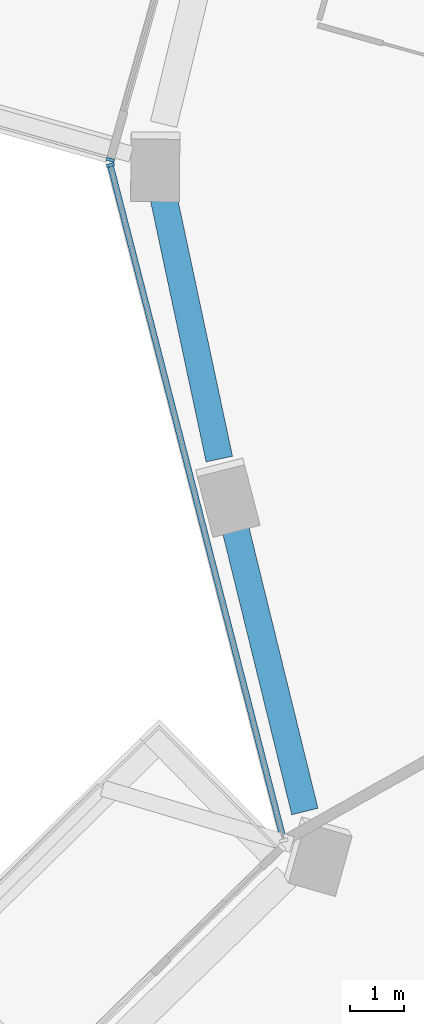
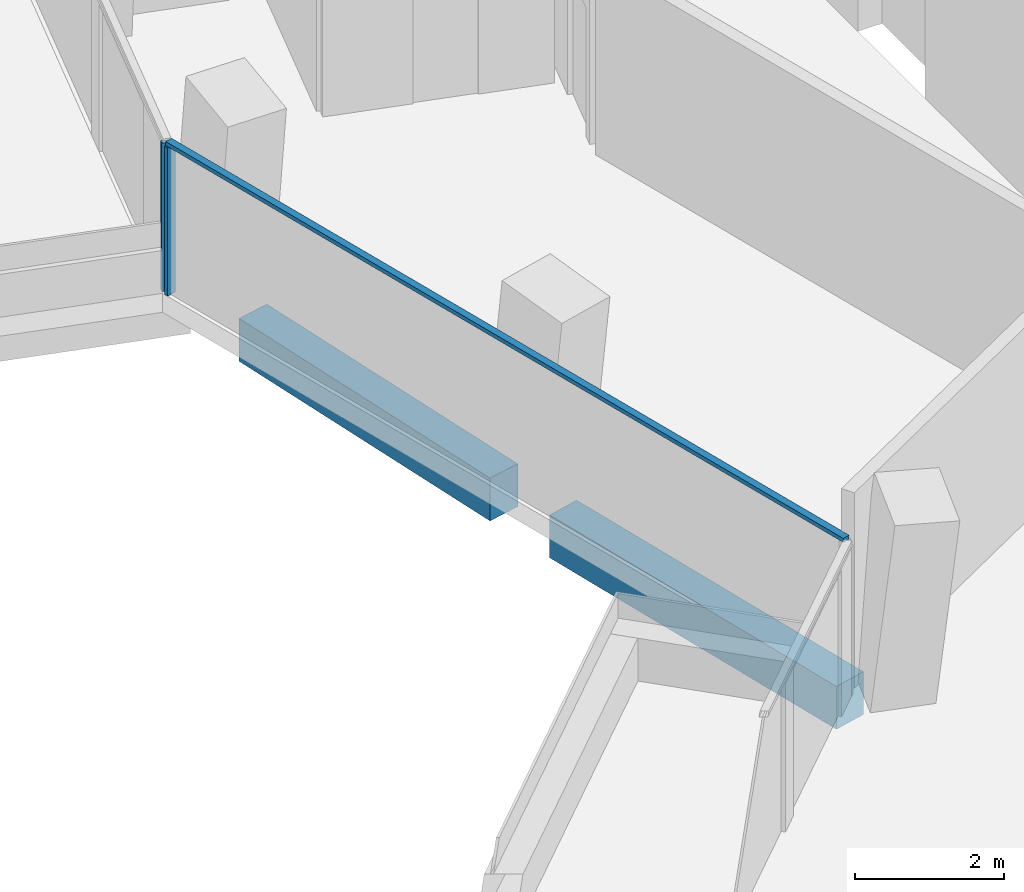
# One storey, part 4 of 26: 3 members, 2 beams, 2 elements without a shape of their own.
"""IFC4 building model written with IfcOpenShell, lengths in metres."""

import ifcopenshell
import ifcopenshell.guid

model = None  # the IFC model being written
_history = None  # IfcOwnerHistory: only IFC2X3 demands one
_inside = {}  # id of a spatial element -> (the spatial element, [elements in it])
_under = {}  # id of a project, library or spatial element -> (it, [spatial elements below it])
_declared = {}  # id of a project -> (the project, [libraries it declares])
_typed = {}  # id of a type object -> (the type object, [elements of that type])
_made_of = {}  # id of a material, layer set ... -> (it, [elements and type objects made of it])


def new_model(schema):
    """Start an empty IFC model of exactly this schema.

    Asked for "IFC4X3", IfcOpenShell would pick the latest addendum, in which some entities
    have other attributes; the version numbers below select the first issue.
    IFC2X3 requires an IfcOwnerHistory on every rooted entity: one is made here for all.
    """
    global model, _history
    if schema == "IFC4X3":
        model = ifcopenshell.file(schema_version=(4, 3, 0, 0))
    else:
        model = ifcopenshell.file(schema=schema)
    _inside.clear()
    _under.clear()
    _declared.clear()
    _typed.clear()
    _made_of.clear()
    _history = None
    if model.schema == "IFC2X3":
        org = make("IfcOrganization", Name="unknown")
        user = make(
            "IfcPersonAndOrganization",
            ThePerson=make("IfcPerson", FamilyName="unknown"),
            TheOrganization=org,
        )
        app = make(
            "IfcApplication",
            ApplicationDeveloper=org,
            Version="unknown",
            ApplicationFullName="unknown",
            ApplicationIdentifier="unknown",
        )
        _history = make(
            "IfcOwnerHistory",
            OwningUser=user,
            OwningApplication=app,
            ChangeAction="ADDED",
            CreationDate=0,
        )
    return model


def make(cls, **values):
    """One entity of the class cls with the attributes given. An attribute that is None is left unset."""
    return model.create_entity(
        cls, **{name: value for name, value in values.items() if value is not None}
    )


def rooted(cls, **values):
    """An entity with a GlobalId (a new one), such as an element, a storey or a relation."""
    return make(cls, GlobalId=ifcopenshell.guid.new(), OwnerHistory=_history, **values)


def si_unit(unit_type, name, prefix=None):
    """IfcSIUnit, for example si_unit("LENGTHUNIT", "METRE", prefix="MILLI")."""
    return make("IfcSIUnit", UnitType=unit_type, Prefix=prefix, Name=name)


def assignment(units):
    """IfcUnitAssignment: the units of a project."""
    return None if units is None else make("IfcUnitAssignment", Units=units)


def point(xyz):
    """IfcCartesianPoint."""
    return None if xyz is None else make("IfcCartesianPoint", Coordinates=xyz)


def direction(xyz):
    """IfcDirection."""
    return None if xyz is None else make("IfcDirection", DirectionRatios=xyz)


def frame(location, z_axis=None, x_axis=None):
    """IfcAxis2Placement3D, a coordinate frame: its origin and axes. An axis left out is left unset."""
    return make(
        "IfcAxis2Placement3D",
        Location=point(location),
        Axis=direction(z_axis),
        RefDirection=direction(x_axis),
    )


def frame_2d(location, x_axis=None):
    """IfcAxis2Placement2D, a coordinate frame in the plane: its origin and x axis."""
    return make(
        "IfcAxis2Placement2D", Location=point(location), RefDirection=direction(x_axis)
    )


def origin():
    """The frame at (0, 0, 0) with its axes left unset."""
    return frame((0.0, 0.0, 0.0))


def origin_2d():
    """The frame at (0, 0) in the plane with its x axis left unset."""
    return frame_2d((0.0, 0.0))


def place(relative_to, where):
    """IfcLocalPlacement: puts the frame where relative to a parent placement (None: the world)."""
    return make(
        "IfcLocalPlacement", PlacementRelTo=relative_to, RelativePlacement=where
    )


def context(
    kind, dimensions, precision=None, world=None, true_north=None, identifier=None
):
    """IfcGeometricRepresentationContext, for example the 3D "Model" context."""
    return make(
        "IfcGeometricRepresentationContext",
        ContextIdentifier=identifier,
        ContextType=kind,
        CoordinateSpaceDimension=dimensions,
        Precision=precision,
        WorldCoordinateSystem=world,
        TrueNorth=true_north,
    )


def subcontext(parent, identifier, kind, view, scale=None):
    """IfcGeometricRepresentationSubContext, for example "Body" below "Model"."""
    return make(
        "IfcGeometricRepresentationSubContext",
        ContextIdentifier=identifier,
        ContextType=kind,
        ParentContext=parent,
        TargetScale=scale,
        TargetView=view,
    )


def project(units=None, contexts=None):
    """IfcProject with its units and contexts."""
    return rooted(
        "IfcProject",
        Name="project",
        RepresentationContexts=contexts,
        UnitsInContext=assignment(units),
    )


def spatial(cls, under=None, at=None, **own):
    """A site, building, storey or space (cls), placed at a placement, below another one or the project."""
    s = rooted(cls, ObjectPlacement=at, **own)
    if under is not None:
        _under.setdefault(under.id(), (under, []))[1].append(s)
    return s


def profile(cls, at=None, kind="AREA", **sizes):
    """A parametric profile (cls). Its sizes go by their IFC names, for example OverallWidth=200.0."""
    return make(cls, ProfileType=kind, Position=at, **sizes)


def rectangle(**sizes):
    """IfcRectangleProfileDef."""
    return profile("IfcRectangleProfileDef", **sizes)


def extrude(swept, where, along, depth):
    """IfcExtrudedAreaSolid: the profile swept, set in the frame where, extruded along a direction by depth."""
    return make(
        "IfcExtrudedAreaSolid",
        SweptArea=swept,
        Position=where,
        ExtrudedDirection=direction(along),
        Depth=depth,
    )


def shape(context_of_items, identifier, shape_type, items):
    """IfcShapeRepresentation: the items that make up one representation, for example the "Body"."""
    return make(
        "IfcShapeRepresentation",
        ContextOfItems=context_of_items,
        RepresentationIdentifier=identifier,
        RepresentationType=shape_type,
        Items=items,
    )


def material(Name=None, Category=None):
    """IfcMaterial."""
    return make("IfcMaterial", Name=Name, Category=Category)


def layer(
    of_material, thickness, ventilated=None, Name=None, Category=None, Priority=None
):
    """IfcMaterialLayer: one layer of a wall or slab, of a material (None: an air gap)."""
    return make(
        "IfcMaterialLayer",
        Material=of_material,
        LayerThickness=thickness,
        IsVentilated=ventilated,
        Name=Name,
        Category=Category,
        Priority=Priority,
    )


def layer_set(layers, Name=None):
    """IfcMaterialLayerSet."""
    return make("IfcMaterialLayerSet", MaterialLayers=layers, LayerSetName=Name)


def material_profile(
    of_material, cross_section, Name=None, Category=None, Priority=None
):
    """IfcMaterialProfile: a cross section and its material."""
    return make(
        "IfcMaterialProfile",
        Name=Name,
        Material=of_material,
        Profile=cross_section,
        Priority=Priority,
        Category=Category,
    )


def profile_set(profiles, Name=None, composite=None):
    """IfcMaterialProfileSet."""
    return make(
        "IfcMaterialProfileSet",
        Name=Name,
        MaterialProfiles=profiles,
        CompositeProfile=composite,
    )


def made_of(thing, what):
    """Note that an element or type object is made of a material, layer set ...; save() writes the relation."""
    if what is not None:
        _made_of.setdefault(what.id(), (what, []))[1].append(thing)
    return thing


def type_object(cls, material=None, **own):
    """A type object (cls), such as IfcWallType, which elements share."""
    return made_of(rooted(cls, **own), material)


def element(
    cls,
    number,
    at=None,
    inside=None,
    cuts=None,
    type_object=None,
    material=None,
    context=None,
    identifier="Body",
    shape_type=None,
    held_by="IfcProductDefinitionShape",
    body=None,
    shapes=None,
    **own,
):
    """One element of the class cls, such as IfcWall. Its Tag is "e" and its number.

    at: its placement. inside: the storey or other place that contains it. cuts: it is an
    opening in that element (IfcRelVoidsElement). A single representation is given by context,
    identifier, shape_type and body (its items); several are given by shapes. held_by: the class
    of the entity that holds the representations. save() writes the other relations.
    """
    e = rooted(cls, Tag="e%d" % number, ObjectPlacement=at, **own)
    if body is not None:
        shapes = [shape(context, identifier, shape_type, body)]
    if shapes is not None:
        e.Representation = make(held_by, Representations=shapes)
    if inside is not None:
        _inside.setdefault(inside.id(), (inside, []))[1].append(e)
    if cuts is not None:
        rooted(
            "IfcRelVoidsElement", RelatingBuildingElement=cuts, RelatedOpeningElement=e
        )
    if type_object is not None:
        _typed.setdefault(type_object.id(), (type_object, []))[1].append(e)
    return made_of(e, material)


def aggregate(whole, parts):
    """IfcRelAggregates: a whole, such as a stair, and the parts it consists of."""
    return rooted("IfcRelAggregates", RelatingObject=whole, RelatedObjects=parts)


def save(model, path):
    """Write the relations noted so far, then the file.

    IfcRelAggregates (storeys below a building ...), IfcRelContainedInSpatialStructure (elements
    in a storey), IfcRelDefinesByType, IfcRelAssociatesMaterial and IfcRelDeclares: one each for
    every whole, place, type object, material and project.
    """
    for whole, parts in _under.values():
        aggregate(whole, parts)
    for where, things in _inside.values():
        rooted(
            "IfcRelContainedInSpatialStructure",
            RelatedElements=things,
            RelatingStructure=where,
        )
    for kind, things in _typed.values():
        rooted("IfcRelDefinesByType", RelatedObjects=things, RelatingType=kind)
    for what, things in _made_of.values():
        rooted("IfcRelAssociatesMaterial", RelatedObjects=things, RelatingMaterial=what)
    for by, libraries in _declared.values():
        rooted("IfcRelDeclares", RelatingContext=by, RelatedDefinitions=libraries)
    model.write(path)


model = new_model("IFC4")

# Units and contexts
model_context = context("Model", 3, precision=1e-05, world=origin(), true_north=direction((0.0, 1.0)))
body_context = subcontext(model_context, "Body", "Model", "MODEL_VIEW")
ifc_project = project(units=[si_unit("LENGTHUNIT", "METRE"), si_unit("AREAUNIT", "SQUARE_METRE"), si_unit("VOLUMEUNIT", "CUBIC_METRE"), si_unit("PLANEANGLEUNIT", "RADIAN"), si_unit("MASSUNIT", "GRAM", prefix="KILO")], contexts=[model_context])

# Site, building, storey
site_placement = place(None, origin())
site = spatial("IfcSite", under=ifc_project, at=site_placement, CompositionType="ELEMENT")
building_placement = place(site_placement, origin())
building = spatial("IfcBuilding", under=site, at=building_placement, Name="Verdalira Terraces Hotel", CompositionType="ELEMENT")
storey_placement = place(building_placement, frame((0.0, 0.0, 93.0)))
storey = spatial("IfcBuildingStorey", under=building, at=storey_placement, Name="L21", CompositionType="ELEMENT", Elevation=93.0)

# Curtain wall, member
ifc_material_1 = material(Name="Clear glass", Category="glass")
ifc_layer = layer(ifc_material_1, 0.14990234375)
ifc_layer_set = layer_set([ifc_layer], Name="CW1 curtain wall")
curtain_wall_type = type_object("IfcCurtainWallType", Name="CW1 curtain wall", PredefinedType="NOTDEFINED", material=ifc_layer_set)
curtain_wall_1_placement = place(storey_placement, origin())
curtain_wall_1 = element("IfcCurtainWall", 1, at=curtain_wall_1_placement, inside=storey, type_object=curtain_wall_type, Name="CW1 curtain wall L21 edge 12", PredefinedType="NOTDEFINED")
ifc_material_2 = material(Name="Terracotta frame", Category="masonry")
ifc_material_profile_1 = material_profile(ifc_material_2, rectangle(XDim=0.060059, YDim=0.149902, at=origin_2d()), Name="MU 60x150")
ifc_profile_set_1 = profile_set([ifc_material_profile_1], Name="Terracotta frame")
member_type_1 = type_object("IfcMemberType", Name="CW1 mullion 60x150", PredefinedType="MULLION", material=ifc_profile_set_1)
member_1_placement = place(storey_placement, frame((-25.021484, 0.310547, 0.0), z_axis=(0.0, 0.0, 1.0), x_axis=(-0.268919821, -0.963162567, 0.0)))
member_1 = element("IfcMember", 2, at=member_1_placement, type_object=member_type_1, Name="CW1 mullion", PredefinedType="MULLION", context=body_context, shape_type="SweptSolid", body=[
    extrude(rectangle(XDim=0.060059, YDim=0.149902, at=origin_2d()), origin(), (0.0, 0.0, 1.0), 2.425049),
])
aggregate(curtain_wall_1, [member_1])

# Curtain wall, members
curtain_wall_2_placement = place(storey_placement, origin())
curtain_wall_2 = element("IfcCurtainWall", 3, at=curtain_wall_2_placement, inside=storey, type_object=curtain_wall_type, Name="CW1 curtain wall L21 edge 13", PredefinedType="NOTDEFINED")
member_2_placement = place(storey_placement, frame((-25.022705, 0.213623, 0.0), z_axis=(0.0, 0.0, 1.0), x_axis=(0.248689887, -0.968583161, 0.0)))
member_2 = element("IfcMember", 4, at=member_2_placement, type_object=member_type_1, Name="CW1 mullion", PredefinedType="MULLION", context=body_context, shape_type="SweptSolid", body=[
    extrude(rectangle(XDim=0.060059, YDim=0.149902, at=origin_2d()), origin(), (0.0, 0.0, 1.0), 2.425049),
])
ifc_material_3 = material(Name="Terracotta frame", Category="masonry")
ifc_material_profile_2 = material_profile(ifc_material_3, rectangle(XDim=0.110107, YDim=0.064941, at=origin_2d()), Name="TR 65x110")
ifc_profile_set_2 = profile_set([ifc_material_profile_2], Name="Terracotta frame")
member_type_2 = type_object("IfcMemberType", Name="CW1 transom 65x110", PredefinedType="USERDEFINED", material=ifc_profile_set_2)
member_3_placement = place(storey_placement, frame((-25.030029, 0.242676, 2.45752), z_axis=(0.248683083, -0.968584908, 0.0), x_axis=(0.968584908, 0.248683083, 0.0)))
member_3 = element("IfcMember", 5, at=member_3_placement, type_object=member_type_2, Name="CW1 transom", ObjectType="TRANSOM", PredefinedType="USERDEFINED", context=body_context, shape_type="SweptSolid", body=[
    extrude(rectangle(XDim=0.110107, YDim=0.064941, at=origin_2d()), origin(), (0.0, 0.0, 1.0), 12.959961),
])
aggregate(curtain_wall_2, [member_2, member_3])

# Beams
ifc_material_4 = material(Name="Concrete C70", Category="concrete")
ifc_material_profile_3 = material_profile(ifc_material_4, rectangle(XDim=0.5, YDim=0.699951, at=origin_2d()), Name="RC 500X700")
ifc_profile_set_3 = profile_set([ifc_material_profile_3], Name="Concrete C70")
beam_type = type_object("IfcBeamType", Name="Spandrel beam RC 500X700 C70", PredefinedType="SPANDREL", material=ifc_profile_set_3)
beam_1_placement = place(storey_placement, frame((-24.051514, -0.320312, -0.659912), z_axis=(0.208345446, -0.978055303, 0.0), x_axis=(0.978055303, 0.208345446, 0.0)))
element("IfcBeam", 6, at=beam_1_placement, inside=storey, type_object=beam_type, Name="Spandrel beam B08", PredefinedType="SPANDREL", context=body_context, shape_type="SweptSolid", body=[
    extrude(rectangle(XDim=0.5, YDim=0.699951, at=origin_2d()), origin(), (0.0, 0.0, 1.0), 5.015381),
])
beam_2_placement = place(storey_placement, frame((-22.746582, -6.359863, -0.659912), z_axis=(0.238503609, -0.971141611, 0.0), x_axis=(0.971141611, 0.238503609, 0.0)))
element("IfcBeam", 7, at=beam_2_placement, inside=storey, type_object=beam_type, Name="Spandrel beam B09", PredefinedType="SPANDREL", context=body_context, shape_type="SweptSolid", body=[
    extrude(rectangle(XDim=0.5, YDim=0.699951, at=origin_2d()), origin(), (0.0, 0.0, 1.0), 5.544922),
])

save(model, "model.ifc")
